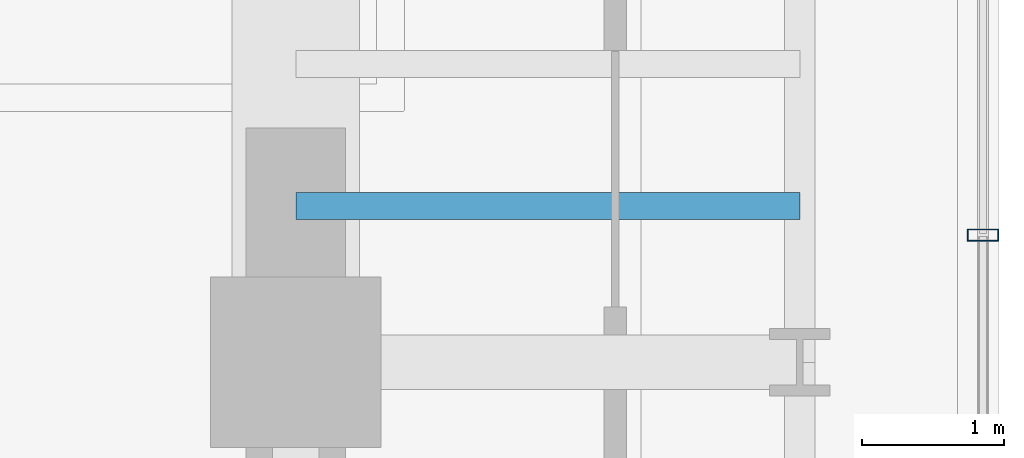
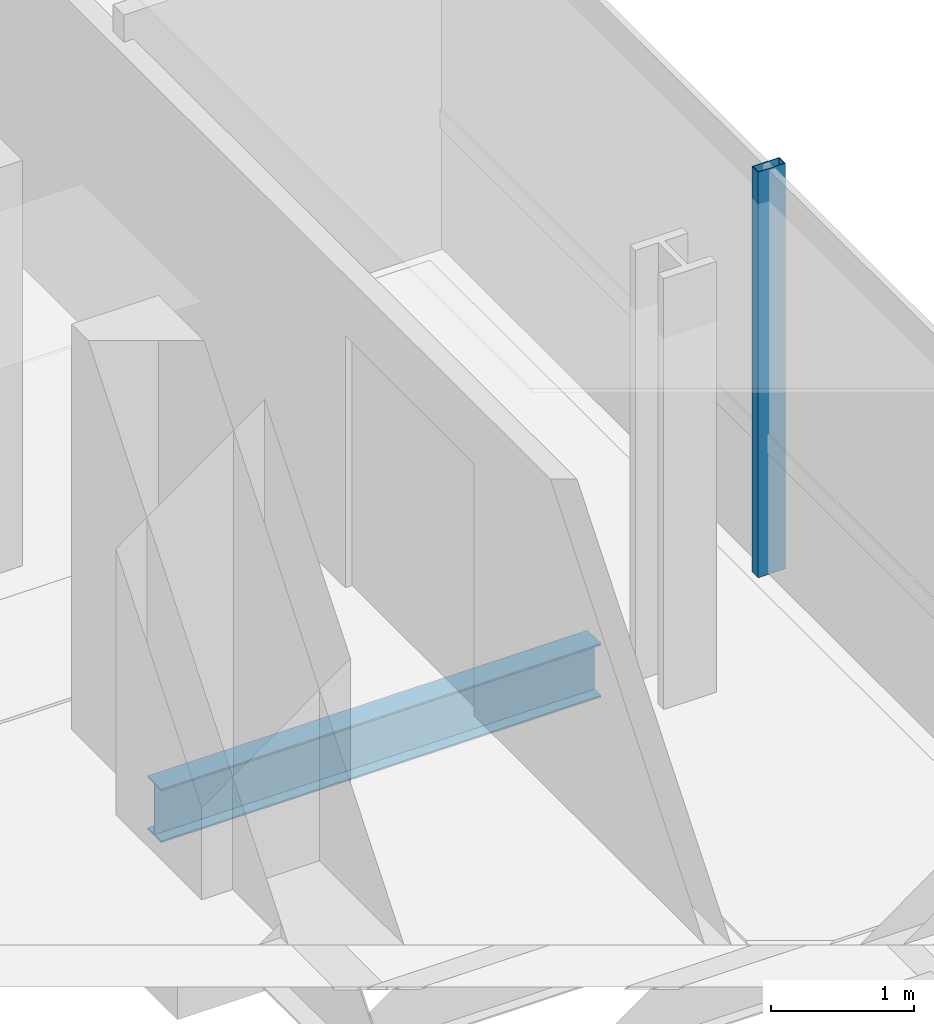
# One storey, part 14 of 38: 1 beam, 1 member, 1 element without a shape of its own.
"""IFC4 building model written with IfcOpenShell, lengths in metres."""

from ifc_helpers import new_model, si_unit, direction, frame, origin, origin_2d, place, context, subcontext, project, spatial, hollow_rectangle, i_section, extrude, source, transform, mapped, material, material_profile, profile_set, type_object, element, aggregate, save


model = new_model("IFC4")

# Units and contexts
model_context = context("Model", 3, precision=1e-05, world=origin(), true_north=direction((0.0, 1.0)))
body_context = subcontext(model_context, "Body", "Model", "MODEL_VIEW")
ifc_project = project(units=[si_unit("LENGTHUNIT", "METRE"), si_unit("AREAUNIT", "SQUARE_METRE"), si_unit("VOLUMEUNIT", "CUBIC_METRE"), si_unit("PLANEANGLEUNIT", "RADIAN"), si_unit("MASSUNIT", "GRAM", prefix="KILO")], contexts=[model_context])

# Site, building, storey
site_placement = place(None, origin())
site = spatial("IfcSite", under=ifc_project, at=site_placement, CompositionType="ELEMENT")
building_placement = place(site_placement, origin())
building = spatial("IfcBuilding", under=site, at=building_placement, Name="Valdorenza Pilgrim Sanctuary Tower", CompositionType="ELEMENT")
storey_placement = place(building_placement, frame((0.0, 0.0, 131.60009765625)))
storey = spatial("IfcBuildingStorey", under=building, at=storey_placement, Name="L33", CompositionType="ELEMENT", Elevation=131.60009765625)

# Beam
ifc_material_1 = material(Name="Steel ASTM A992 Grade 50", Category="steel")
ifc_material_profile_1 = material_profile(ifc_material_1, i_section(OverallWidth=0.19091796875, OverallDepth=0.45703125, WebThickness=0.009033203125, FlangeThickness=0.014404296875, at=origin_2d()), Name="W18X50")
ifc_profile_set_1 = profile_set([ifc_material_profile_1], Name="Steel ASTM A992 Grade 50")
beam_type = type_object("IfcBeamType", Name="STR-BM-JST-W18B", PredefinedType="JOIST", material=ifc_profile_set_1)
shared_shape_1 = source(origin(), body_context, "Body", "SweptSolid", [
    extrude(i_section(OverallWidth=0.19091796875, OverallDepth=0.45703125, WebThickness=0.009033203125, FlangeThickness=0.014404296875, at=origin_2d()), origin(), (0.0, 0.0, 1.0), 3.5498046875),
])
beam_placement = place(storey_placement, frame((24.85009765625, -1.5, -0.468505859375), z_axis=(1.0, 0.0, 0.0), x_axis=(0.0, 1.0, 0.0)))
element("IfcBeam", 1, at=beam_placement, inside=storey, type_object=beam_type, Name="L33 Composite Floor Joist JST-WB-8", PredefinedType="JOIST", context=body_context, shape_type="MappedRepresentation", body=[
    mapped(shared_shape_1, transform((0.0, 0.0, 0.0), x_axis=(1.0, 0.0, 0.0), y_axis=(0.0, 1.0, 0.0), z_axis=(0.0, 0.0, 1.0), scale=1.0)),
])

# Curtain wall, member
ifc_material_2 = material(Name="Curtain-wall IGU glazing", Category="glass")
curtain_wall_type = type_object("IfcCurtainWallType", Name="CW-SYS-03", PredefinedType="NOTDEFINED", material=ifc_material_2)
curtain_wall_placement = place(storey_placement, origin())
curtain_wall = element("IfcCurtainWall", 2, at=curtain_wall_placement, inside=storey, type_object=curtain_wall_type, Name="L33 Curtain Wall CW-L33-1-21", PredefinedType="NOTDEFINED")
ifc_material_3 = material(Name="Anodised aluminium AW-6060", Category="aluminium")
ifc_material_profile_2 = material_profile(ifc_material_3, hollow_rectangle(XDim=0.0849609375, YDim=0.219970703125, WallThickness=0.0048828125, at=origin_2d()), Name="ALU-M 220x85x5")
ifc_profile_set_2 = profile_set([ifc_material_profile_2], Name="Anodised aluminium AW-6060")
member_type = type_object("IfcMemberType", Name="CW-MUL-03", PredefinedType="MULLION", material=ifc_profile_set_2)
shared_shape_2 = source(origin(), body_context, "Body", "SweptSolid", [
    extrude(hollow_rectangle(XDim=0.0849609375, YDim=0.219970703125, WallThickness=0.0048828125, at=origin_2d()), origin(), (0.0, 0.0, 1.0), 3.4599609375),
])
member_placement = place(storey_placement, frame((29.68994140625, -1.7041015625, 0.0), z_axis=(0.0, 0.0, 1.0), x_axis=(0.0, -1.0, 0.0)))
member = element("IfcMember", 3, at=member_placement, type_object=member_type, Name="CW-L33-1-21 Mullion 3", PredefinedType="MULLION", context=body_context, shape_type="MappedRepresentation", body=[
    mapped(shared_shape_2, transform((0.0, 0.0, 0.0), x_axis=(1.0, 0.0, 0.0), y_axis=(0.0, 1.0, 0.0), z_axis=(0.0, 0.0, 1.0), scale=1.0)),
])
aggregate(curtain_wall, [member])

save(model, "model.ifc")
